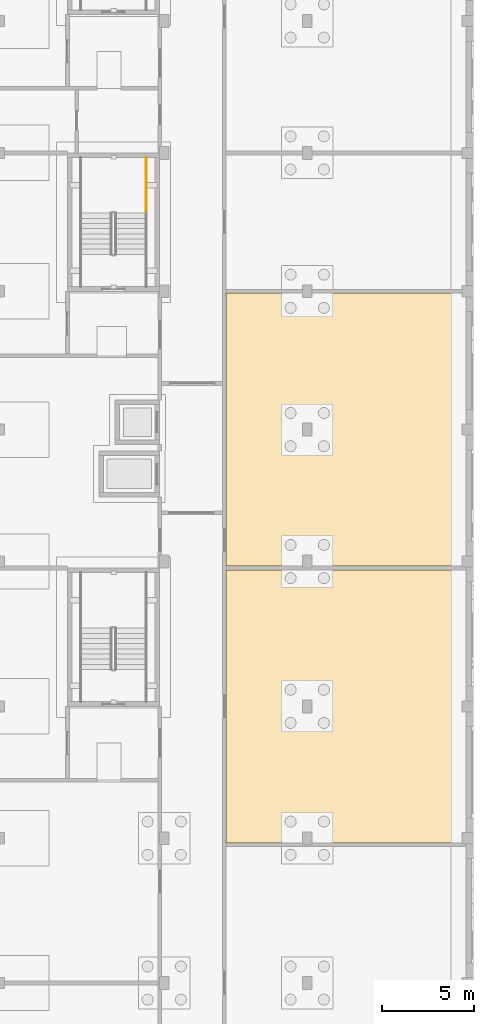
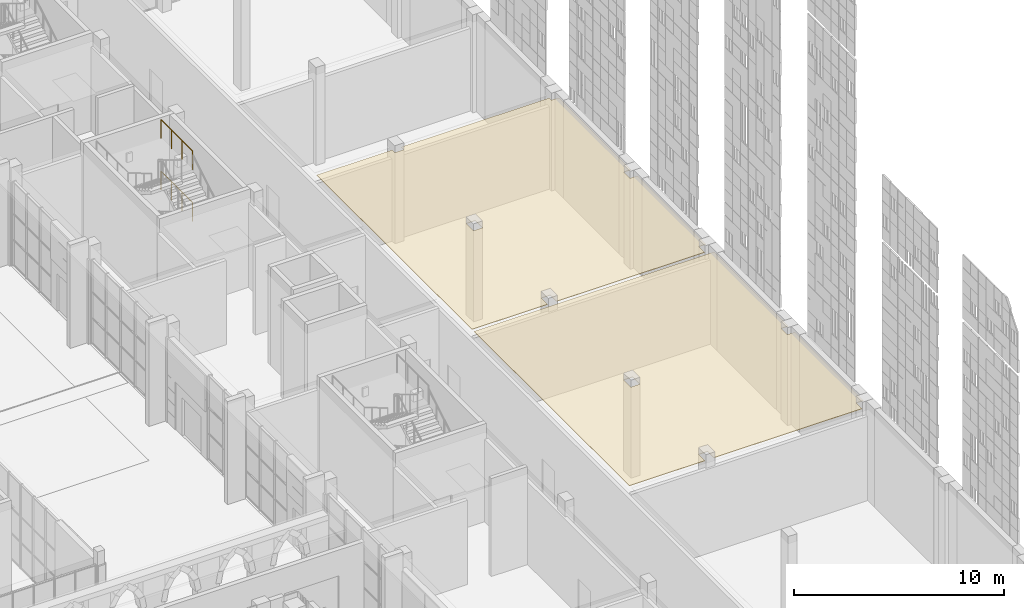
# One storey, part 110 of 125: 2 coverings, 2 railings.
"""IFC4 building model written with IfcOpenShell, lengths in metres."""

from ifc_helpers import new_model, si_unit, direction, frame, origin, origin_2d, place, context, subcontext, project, spatial, polyline, circle, outline, extrude, material, layer, layer_set, type_object, element, save


model = new_model("IFC4")

# Units and contexts
model_context = context("Model", 3, precision=1e-05, world=origin(), true_north=direction((0.0, 1.0)))
body_context = subcontext(model_context, "Body", "Model", "MODEL_VIEW")
ifc_project = project(units=[si_unit("LENGTHUNIT", "METRE"), si_unit("AREAUNIT", "SQUARE_METRE"), si_unit("VOLUMEUNIT", "CUBIC_METRE"), si_unit("PLANEANGLEUNIT", "RADIAN"), si_unit("MASSUNIT", "GRAM", prefix="KILO")], contexts=[model_context])

# Site, building, storey
site_placement = place(None, origin())
site = spatial("IfcSite", under=ifc_project, at=site_placement, CompositionType="ELEMENT")
building_placement = place(site_placement, origin())
building = spatial("IfcBuilding", under=site, at=building_placement, Name="Sun Court Science Centre", CompositionType="ELEMENT")
storey_placement = place(building_placement, origin())
storey = spatial("IfcBuildingStorey", under=building, at=storey_placement, Name="L00", CompositionType="ELEMENT", Elevation=0.0)

# Coverings
ifc_material_1 = material(Name="Gypsum board")
ifc_layer = layer(ifc_material_1, 0.030029296875)
ifc_layer_set = layer_set([ifc_layer], Name="Gypsum board")
covering_type = type_object("IfcCoveringType", Name="Ceiling suspended 600 module", PredefinedType="CEILING", material=ifc_layer_set)
covering_1_placement = place(storey_placement, frame((0.0, 0.0, 5.27001953125)))
element("IfcCovering", 1, at=covering_1_placement, inside=storey, type_object=covering_type, Name="L00-054 ceiling", PredefinedType="CEILING", context=body_context, shape_type="SweptSolid", body=[
    extrude(outline(polyline([(95.25, 28.60009765625), (95.25, 29.199951171875), (94.75, 29.199951171875), (94.75, 28.60009765625), (90.60009765625, 28.60009765625), (90.60009765625, 43.39990234375), (103.800048828125, 43.39990234375), (103.800048828125, 36.300048828125), (103.39990234375, 36.300048828125), (103.39990234375, 35.699951171875), (103.800048828125, 35.699951171875), (103.800048828125, 29.14990234375), (103.39990234375, 29.14990234375), (103.39990234375, 28.60009765625), (95.25, 28.60009765625)]), holes=[polyline([(94.75, 35.64990234375), (95.25, 35.64990234375), (95.25, 36.35009765625), (94.75, 36.35009765625), (94.75, 35.64990234375)])]), origin(), (0.0, 0.0, 1.0), 0.030029296875),
])
covering_2_placement = place(storey_placement, frame((0.0, 0.0, 5.27001953125)))
element("IfcCovering", 2, at=covering_2_placement, inside=storey, type_object=covering_type, Name="L00-055 ceiling", PredefinedType="CEILING", context=body_context, shape_type="SweptSolid", body=[
    extrude(outline(polyline([(95.25, 43.60009765625), (95.25, 44.199951171875), (94.75, 44.199951171875), (94.75, 43.60009765625), (90.60009765625, 43.60009765625), (90.60009765625, 58.39990234375), (94.75, 58.39990234375), (94.75, 58.14990234375), (95.25, 58.14990234375), (95.25, 58.39990234375), (103.39990234375, 58.39990234375), (103.39990234375, 58.199951171875), (103.800048828125, 58.199951171875), (103.800048828125, 51.300048828125), (103.39990234375, 51.300048828125), (103.39990234375, 50.699951171875), (103.800048828125, 50.699951171875), (103.800048828125, 44.14990234375), (103.39990234375, 44.14990234375), (103.39990234375, 43.60009765625), (95.25, 43.60009765625)]), holes=[polyline([(94.75, 50.64990234375), (95.25, 50.64990234375), (95.25, 51.35009765625), (94.75, 51.35009765625), (94.75, 50.64990234375)])]), origin(), (0.0, 0.0, 1.0), 0.030029296875),
])

# Railings
ifc_material_2 = material(Name="Steel S275", Category="steel")
railing_type = type_object("IfcRailingType", Name="Guard 1100 steel balustrade", PredefinedType="GUARDRAIL", material=ifc_material_2)
for number, where, name in (
    (3, (86.27294921875, 62.738037109375, 1.5), "L00 SL3 stair guard 3"),
    (4, (86.27294921875, 62.738037109375, 4.5), "L00 SL3 stair guard 11"),
):
    element("IfcRailing", number, at=place(storey_placement, frame(where)), inside=storey, type_object=railing_type, Name=name, PredefinedType="GUARDRAIL", context=body_context, shape_type="SweptSolid", body=[
        extrude(circle(Radius=0.02392578125, at=origin_2d()), frame((0.0, 0.0, 1.076171875), z_axis=(0.0, 1.0, 0.0), x_axis=(-1.0, 0.0, 0.0)), (0.0, 0.0, 1.0), 3.011962890625),
        extrude(circle(Radius=0.02099609375, at=origin_2d()), origin(), (0.0, 0.0, 1.0), 1.052001953125),
        extrude(circle(Radius=0.02099609375, at=origin_2d()), frame((0.0, 1.00390625, 0.0)), (0.0, 0.0, 1.0), 1.052001953125),
        extrude(circle(Radius=0.02099609375, at=origin_2d()), frame((0.0, 2.008056640625, 0.0)), (0.0, 0.0, 1.0), 1.052001953125),
        extrude(circle(Radius=0.02099609375, at=origin_2d()), frame((0.0, 3.011962890625, 0.0)), (0.0, 0.0, 1.0), 1.052001953125),
    ])

save(model, "model.ifc")
